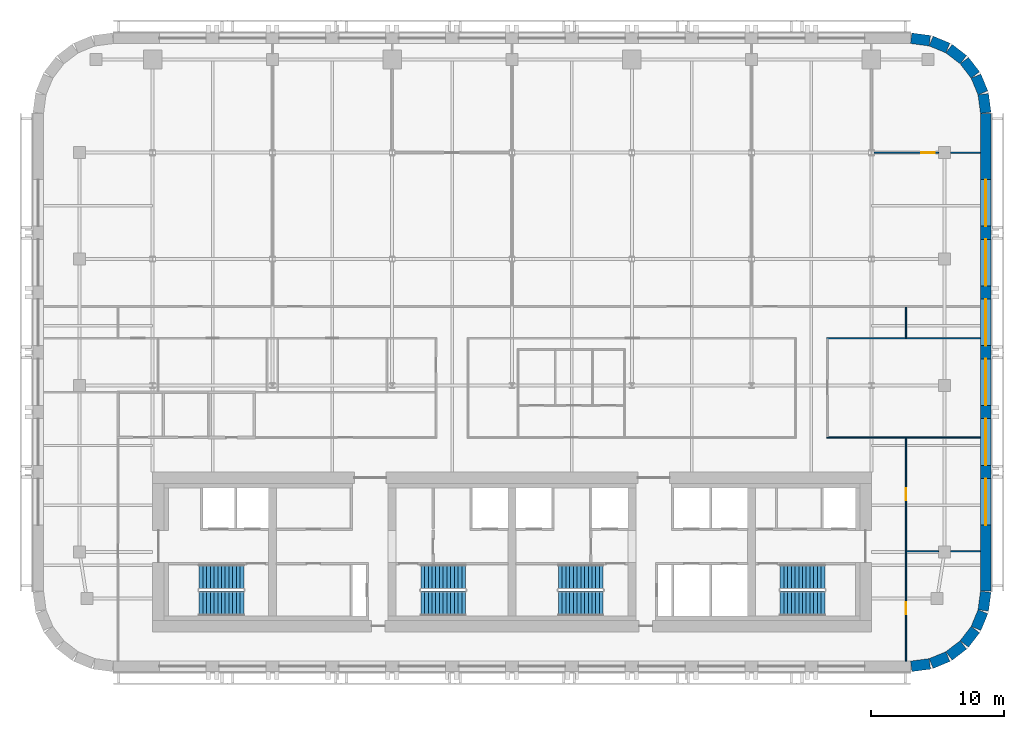
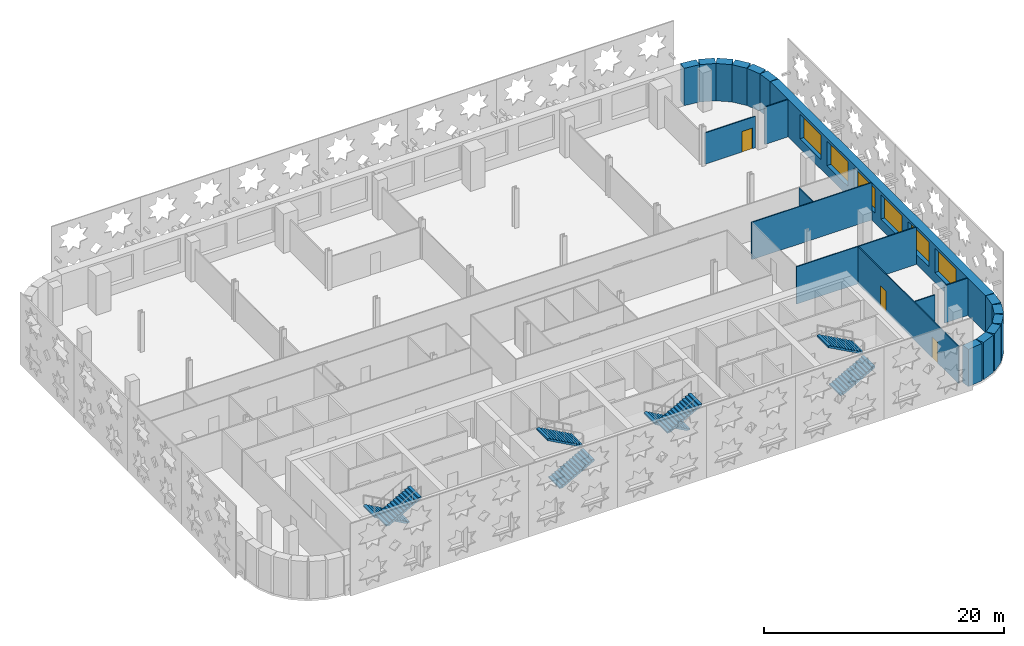
# One storey, part 7 of 12: 21 walls, 8 stair flights, 6 windows, 3 doors, 9 openings, 4 elements without a shape of their own.
"""IFC4 building model written with IfcOpenShell, lengths in metres."""

from ifc_helpers import new_model, si_unit, direction, frame, frame_2d, origin, place, context, subcontext, project, spatial, polyline, rectangle, outline, extrude, material, layer, layer_set, type_object, element, fill, aggregate, save


model = new_model("IFC4")

# Units and contexts
model_context = context("Model", 3, precision=1e-05, world=origin(), true_north=direction((0.0, 1.0)))
body_context = subcontext(model_context, "Body", "Model", "MODEL_VIEW")
ifc_project = project(units=[si_unit("LENGTHUNIT", "METRE"), si_unit("AREAUNIT", "SQUARE_METRE"), si_unit("VOLUMEUNIT", "CUBIC_METRE"), si_unit("PLANEANGLEUNIT", "RADIAN"), si_unit("MASSUNIT", "GRAM", prefix="KILO")], contexts=[model_context])

# Site, building, storey
site_placement = place(None, origin())
site = spatial("IfcSite", under=ifc_project, at=site_placement, CompositionType="ELEMENT")
building_placement = place(site_placement, origin())
building = spatial("IfcBuilding", under=site, at=building_placement, Name="Zellij Exchange Tower", CompositionType="ELEMENT")
storey_placement = place(building_placement, frame((0.0, 0.0, 196.5)))
storey = spatial("IfcBuildingStorey", under=building, at=storey_placement, Name="L45", CompositionType="ELEMENT", Elevation=196.5)

# Walls
ifc_material_1 = material(Name="Precast concrete C40/50", Category="concrete")
ifc_layer_1 = layer(ifc_material_1, 0.800048828125)
ifc_layer_set_1 = layer_set([ifc_layer_1], Name="Precast concrete C40/50")
wall_type_1 = type_object("IfcWallType", Name="ENV-EW1 Precast stone-piered wall 800", PredefinedType="SOLIDWALL", material=ifc_layer_set_1)
wall_1_placement = place(storey_placement, frame((29.999755859375, -16.5966796875, 0.0), z_axis=(0.0, 0.0, 1.0), x_axis=(0.99144603414, 0.130517283865, 0.0)))
element("IfcWall", 1, at=wall_1_placement, inside=storey, type_object=wall_type_1, Name="fac.L45.01", PredefinedType="SOLIDWALL", context=body_context, shape_type="SweptSolid", body=[
    extrude(rectangle(XDim=1.408447265625, YDim=0.800048828125, at=frame_2d((0.7041015625, 0.0))), origin(), (0.0, 0.0, 1.0), 3.800048828125),
])
wall_2_placement = place(storey_placement, frame((31.497314453125, -16.3857421875, 0.0), z_axis=(0.0, 0.0, 1.0), x_axis=(0.923847774587, 0.38276009378, 0.0)))
element("IfcWall", 2, at=wall_2_placement, inside=storey, type_object=wall_type_1, Name="fac.L45.02", PredefinedType="SOLIDWALL", context=body_context, shape_type="SweptSolid", body=[
    extrude(rectangle(XDim=1.35546875, YDim=0.800048828125, at=frame_2d((0.677734375, 0.0))), origin(), (0.0, 0.0, 1.0), 3.800048828125),
])
for number, where, z_axis, x_axis, name in (
    (3, (32.840087890625, -15.814697265625, 0.0), (0.0, 0.0, 1.0), (0.793272915452, 0.608866226366, 0.0), "fac.L45.03"),
    (4, (33.9892578125, -14.91552734375, 0.0), (0.0, 0.0, 1.0), (0.608866226366, 0.793272915452, 0.0), "fac.L45.04"),
):
    element("IfcWall", number, at=place(storey_placement, frame(where, z_axis=z_axis, x_axis=x_axis)), inside=storey, type_object=wall_type_1, Name=name, PredefinedType="SOLIDWALL", context=body_context, shape_type="SweptSolid", body=[
        extrude(rectangle(XDim=1.355712890625, YDim=0.800048828125, at=frame_2d((0.677734375, 0.0))), origin(), (0.0, 0.0, 1.0), 3.800048828125),
    ])
wall_3_placement = place(storey_placement, frame((34.866943359375, -13.74951171875, 0.0), z_axis=(0.0, 0.0, 1.0), x_axis=(0.38276009378, 0.923847774587, 0.0)))
element("IfcWall", 5, at=wall_3_placement, inside=storey, type_object=wall_type_1, Name="fac.L45.05", PredefinedType="SOLIDWALL", context=body_context, shape_type="SweptSolid", body=[
    extrude(rectangle(XDim=1.35546875, YDim=0.800048828125, at=frame_2d((0.677734375, 0.0))), origin(), (0.0, 0.0, 1.0), 3.800048828125),
])
wall_4_placement = place(storey_placement, frame((35.412841796875, -12.396240234375, 0.0), z_axis=(0.0, 0.0, 1.0), x_axis=(0.130517283865, 0.99144603414, 0.0)))
element("IfcWall", 6, at=wall_4_placement, inside=storey, type_object=wall_type_1, Name="fac.L45.06", PredefinedType="SOLIDWALL", context=body_context, shape_type="SweptSolid", body=[
    extrude(rectangle(XDim=1.408447265625, YDim=0.800048828125, at=frame_2d((0.7041015625, 0.0))), origin(), (0.0, 0.0, 1.0), 3.800048828125),
])

# Wall, openings, windows
wall_5_placement = place(storey_placement, frame((35.60009765625, -10.947509765625, 0.0), z_axis=(0.0, 0.0, 1.0), x_axis=(0.0, 1.0, 0.0)))
wall_5 = element("IfcWall", 7, at=wall_5_placement, inside=storey, type_object=wall_type_1, Name="fac.L45.07", PredefinedType="SOLIDWALL", context=body_context, shape_type="SweptSolid", body=[
    extrude(rectangle(XDim=35.89501953125, YDim=0.800048828125, at=frame_2d((17.947509765625, 0.0))), origin(), (0.0, 0.0, 1.0), 3.800048828125),
])
opening_1_placement = place(wall_5_placement, frame((4.9638671875, 0.0, 1.0)))
opening_1 = element("IfcOpeningElement", 8, at=opening_1_placement, cuts=wall_5, Name="Opening FZ3.13", PredefinedType="OPENING", context=body_context, shape_type="SweptSolid", body=[
    extrude(rectangle(XDim=3.5, YDim=2.5, at=frame_2d((1.75, 1.25))), frame((0.0, 0.412109375, 0.0), z_axis=(0.0, -1.0, 0.0), x_axis=(1.0, 0.0, 0.0)), (0.0, 0.0, 1.0), 0.823974609375),
])
opening_2_placement = place(wall_5_placement, frame((9.45751953125, 0.0, 1.0)))
opening_2 = element("IfcOpeningElement", 9, at=opening_2_placement, cuts=wall_5, Name="Opening FZ3.14", PredefinedType="OPENING", context=body_context, shape_type="SweptSolid", body=[
    extrude(rectangle(XDim=3.5, YDim=2.5, at=frame_2d((1.75, 1.25))), frame((0.0, 0.412109375, 0.0), z_axis=(0.0, -1.0, 0.0), x_axis=(1.0, 0.0, 0.0)), (0.0, 0.0, 1.0), 0.823974609375),
])
opening_3_placement = place(wall_5_placement, frame((13.950927734375, 0.0, 1.0)))
opening_3 = element("IfcOpeningElement", 10, at=opening_3_placement, cuts=wall_5, Name="Opening FZ3.15", PredefinedType="OPENING", context=body_context, shape_type="SweptSolid", body=[
    extrude(rectangle(XDim=3.5, YDim=2.5, at=frame_2d((1.75, 1.25))), frame((0.0, 0.412109375, 0.0), z_axis=(0.0, -1.0, 0.0), x_axis=(1.0, 0.0, 0.0)), (0.0, 0.0, 1.0), 0.823974609375),
])
opening_4_placement = place(wall_5_placement, frame((18.4443359375, 0.0, 1.0)))
opening_4 = element("IfcOpeningElement", 11, at=opening_4_placement, cuts=wall_5, Name="Opening FZ3.16", PredefinedType="OPENING", context=body_context, shape_type="SweptSolid", body=[
    extrude(rectangle(XDim=3.5, YDim=2.5, at=frame_2d((1.75, 1.25))), frame((0.0, 0.412109375, 0.0), z_axis=(0.0, -1.0, 0.0), x_axis=(1.0, 0.0, 0.0)), (0.0, 0.0, 1.0), 0.823974609375),
])
opening_5_placement = place(wall_5_placement, frame((22.937744140625, 0.0, 1.0)))
opening_5 = element("IfcOpeningElement", 12, at=opening_5_placement, cuts=wall_5, Name="Opening FZ3.17", PredefinedType="OPENING", context=body_context, shape_type="SweptSolid", body=[
    extrude(rectangle(XDim=3.5, YDim=2.5, at=frame_2d((1.75, 1.25))), frame((0.0, 0.412109375, 0.0), z_axis=(0.0, -1.0, 0.0), x_axis=(1.0, 0.0, 0.0)), (0.0, 0.0, 1.0), 0.823974609375),
])
opening_6_placement = place(wall_5_placement, frame((27.43115234375, 0.0, 1.0)))
opening_6 = element("IfcOpeningElement", 13, at=opening_6_placement, cuts=wall_5, Name="Opening FZ3.18", PredefinedType="OPENING", context=body_context, shape_type="SweptSolid", body=[
    extrude(rectangle(XDim=3.5, YDim=2.5, at=frame_2d((1.75, 1.25))), frame((0.0, 0.412109375, 0.0), z_axis=(0.0, -1.0, 0.0), x_axis=(1.0, 0.0, 0.0)), (0.0, 0.0, 1.0), 0.823974609375),
])
ifc_material_2 = material(Name="Aluminium frame with insulating glass", Category="aluminium")
window_type = type_object("IfcWindowType", Name="ENV-W1 Window 3500x2500", PartitioningType="SINGLE_PANEL", PredefinedType="WINDOW", material=ifc_material_2)
window_1_placement = place(opening_1_placement, origin())
window_1 = element("IfcWindow", 14, at=window_1_placement, inside=storey, type_object=window_type, Name="Window FZ3.13", OverallHeight=2.5, OverallWidth=3.5, PartitioningType="SINGLE_PANEL", PredefinedType="WINDOW", context=body_context, shape_type="SweptSolid", body=[
    extrude(rectangle(XDim=3.5, YDim=2.5, at=frame_2d((1.75, 1.25))), frame((0.0, 0.030029296875, 0.0), z_axis=(0.0, -1.0, 0.0), x_axis=(1.0, 0.0, 0.0)), (0.0, 0.0, 1.0), 0.06005859375),
])
fill(opening_1, window_1)
window_2_placement = place(opening_2_placement, origin())
window_2 = element("IfcWindow", 15, at=window_2_placement, inside=storey, type_object=window_type, Name="Window FZ3.14", OverallHeight=2.5, OverallWidth=3.5, PartitioningType="SINGLE_PANEL", PredefinedType="WINDOW", context=body_context, shape_type="SweptSolid", body=[
    extrude(rectangle(XDim=3.5, YDim=2.5, at=frame_2d((1.75, 1.25))), frame((0.0, 0.030029296875, 0.0), z_axis=(0.0, -1.0, 0.0), x_axis=(1.0, 0.0, 0.0)), (0.0, 0.0, 1.0), 0.06005859375),
])
fill(opening_2, window_2)
window_3_placement = place(opening_3_placement, origin())
window_3 = element("IfcWindow", 16, at=window_3_placement, inside=storey, type_object=window_type, Name="Window FZ3.15", OverallHeight=2.5, OverallWidth=3.5, PartitioningType="SINGLE_PANEL", PredefinedType="WINDOW", context=body_context, shape_type="SweptSolid", body=[
    extrude(rectangle(XDim=3.5, YDim=2.5, at=frame_2d((1.75, 1.25))), frame((0.0, 0.030029296875, 0.0), z_axis=(0.0, -1.0, 0.0), x_axis=(1.0, 0.0, 0.0)), (0.0, 0.0, 1.0), 0.06005859375),
])
fill(opening_3, window_3)
window_4_placement = place(opening_4_placement, origin())
window_4 = element("IfcWindow", 17, at=window_4_placement, inside=storey, type_object=window_type, Name="Window FZ3.16", OverallHeight=2.5, OverallWidth=3.5, PartitioningType="SINGLE_PANEL", PredefinedType="WINDOW", context=body_context, shape_type="SweptSolid", body=[
    extrude(rectangle(XDim=3.5, YDim=2.5, at=frame_2d((1.75, 1.25))), frame((0.0, 0.030029296875, 0.0), z_axis=(0.0, -1.0, 0.0), x_axis=(1.0, 0.0, 0.0)), (0.0, 0.0, 1.0), 0.06005859375),
])
fill(opening_4, window_4)
window_5_placement = place(opening_5_placement, origin())
window_5 = element("IfcWindow", 18, at=window_5_placement, inside=storey, type_object=window_type, Name="Window FZ3.17", OverallHeight=2.5, OverallWidth=3.5, PartitioningType="SINGLE_PANEL", PredefinedType="WINDOW", context=body_context, shape_type="SweptSolid", body=[
    extrude(rectangle(XDim=3.5, YDim=2.5, at=frame_2d((1.75, 1.25))), frame((0.0, 0.030029296875, 0.0), z_axis=(0.0, -1.0, 0.0), x_axis=(1.0, 0.0, 0.0)), (0.0, 0.0, 1.0), 0.06005859375),
])
fill(opening_5, window_5)
window_6_placement = place(opening_6_placement, origin())
window_6 = element("IfcWindow", 19, at=window_6_placement, inside=storey, type_object=window_type, Name="Window FZ3.18", OverallHeight=2.5, OverallWidth=3.5, PartitioningType="SINGLE_PANEL", PredefinedType="WINDOW", context=body_context, shape_type="SweptSolid", body=[
    extrude(rectangle(XDim=3.5, YDim=2.5, at=frame_2d((1.75, 1.25))), frame((0.0, 0.030029296875, 0.0), z_axis=(0.0, -1.0, 0.0), x_axis=(1.0, 0.0, 0.0)), (0.0, 0.0, 1.0), 0.06005859375),
])
fill(opening_6, window_6)

# Walls
wall_6_placement = place(storey_placement, frame((35.5966796875, 24.999755859375, 0.0), z_axis=(0.0, 0.0, 1.0), x_axis=(-0.130517283865, 0.99144603414, 0.0)))
element("IfcWall", 20, at=wall_6_placement, inside=storey, type_object=wall_type_1, Name="fac.L45.08", PredefinedType="SOLIDWALL", context=body_context, shape_type="SweptSolid", body=[
    extrude(rectangle(XDim=1.408447265625, YDim=0.800048828125, at=frame_2d((0.7041015625, 0.0))), origin(), (0.0, 0.0, 1.0), 3.800048828125),
])
wall_7_placement = place(storey_placement, frame((35.3857421875, 26.497314453125, 0.0), z_axis=(0.0, 0.0, 1.0), x_axis=(-0.38276009378, 0.923847774587, 0.0)))
element("IfcWall", 21, at=wall_7_placement, inside=storey, type_object=wall_type_1, Name="fac.L45.09", PredefinedType="SOLIDWALL", context=body_context, shape_type="SweptSolid", body=[
    extrude(rectangle(XDim=1.35546875, YDim=0.800048828125, at=frame_2d((0.677734375, 0.0))), origin(), (0.0, 0.0, 1.0), 3.800048828125),
])
for number, where, z_axis, x_axis, name in (
    (22, (34.814697265625, 27.840087890625, 0.0), (0.0, 0.0, 1.0), (-0.608866226366, 0.793272915452, 0.0), "fac.L45.10"),
    (23, (33.91552734375, 28.9892578125, 0.0), (0.0, 0.0, 1.0), (-0.793272915452, 0.608866226366, 0.0), "fac.L45.11"),
):
    element("IfcWall", number, at=place(storey_placement, frame(where, z_axis=z_axis, x_axis=x_axis)), inside=storey, type_object=wall_type_1, Name=name, PredefinedType="SOLIDWALL", context=body_context, shape_type="SweptSolid", body=[
        extrude(rectangle(XDim=1.355712890625, YDim=0.800048828125, at=frame_2d((0.677734375, 0.0))), origin(), (0.0, 0.0, 1.0), 3.800048828125),
    ])
wall_8_placement = place(storey_placement, frame((32.74951171875, 29.866943359375, 0.0), z_axis=(0.0, 0.0, 1.0), x_axis=(-0.923847774587, 0.38276009378, 0.0)))
element("IfcWall", 24, at=wall_8_placement, inside=storey, type_object=wall_type_1, Name="fac.L45.12", PredefinedType="SOLIDWALL", context=body_context, shape_type="SweptSolid", body=[
    extrude(rectangle(XDim=1.35546875, YDim=0.800048828125, at=frame_2d((0.677734375, 0.0))), origin(), (0.0, 0.0, 1.0), 3.800048828125),
])
wall_9_placement = place(storey_placement, frame((31.396240234375, 30.412841796875, 0.0), z_axis=(0.0, 0.0, 1.0), x_axis=(-0.99144603414, 0.130517283865, 0.0)))
element("IfcWall", 25, at=wall_9_placement, inside=storey, type_object=wall_type_1, Name="fac.L45.13", PredefinedType="SOLIDWALL", context=body_context, shape_type="SweptSolid", body=[
    extrude(rectangle(XDim=1.408447265625, YDim=0.800048828125, at=frame_2d((0.7041015625, 0.0))), origin(), (0.0, 0.0, 1.0), 3.800048828125),
])

# Wall, openings, doors
ifc_material_3 = material(Name="Gypsum board partition on steel studs", Category="steel")
ifc_layer_2 = layer(ifc_material_3, 0.10009765625)
ifc_layer_set_2 = layer_set([ifc_layer_2], Name="Gypsum board partition on steel studs")
wall_type_2 = type_object("IfcWallType", Name="FIT-PARTITION-100", PredefinedType="PARTITIONING", material=ifc_layer_set_2)
wall_10_placement = place(storey_placement, frame((29.60009765625, -16.199951171875, 0.0), z_axis=(0.0, 0.0, 1.0), x_axis=(0.0, 1.0, 0.0)))
wall_10 = element("IfcWall", 26, at=wall_10_placement, inside=storey, type_object=wall_type_2, Name="FIT-PARTITION-100 002", PredefinedType="PARTITIONING", context=body_context, shape_type="SweptSolid", body=[
    extrude(rectangle(XDim=16.75, YDim=0.10009765625, at=frame_2d((8.375, 0.0))), origin(), (0.0, 0.0, 1.0), 3.800048828125),
])
opening_7_placement = place(wall_10_placement, frame((3.5, 0.0, 0.0)))
opening_7 = element("IfcOpeningElement", 27, at=opening_7_placement, cuts=wall_10, Name="Opening O3D.01", PredefinedType="OPENING", context=body_context, shape_type="SweptSolid", body=[
    extrude(rectangle(XDim=0.89990234375, YDim=2.10009765625, at=frame_2d((0.449951171875, 1.050048828125))), frame((0.0, 0.06201171875, 0.0), z_axis=(0.0, -1.0, 0.0), x_axis=(1.0, 0.0, 0.0)), (0.0, 0.0, 1.0), 0.1240234375),
])
opening_8_placement = place(wall_10_placement, frame((12.10009765625, 0.0, 0.0)))
opening_8 = element("IfcOpeningElement", 28, at=opening_8_placement, cuts=wall_10, Name="Opening O3D.03", PredefinedType="OPENING", context=body_context, shape_type="SweptSolid", body=[
    extrude(rectangle(XDim=0.89990234375, YDim=2.10009765625, at=frame_2d((0.449951171875, 1.050048828125))), frame((0.0, 0.06201171875, 0.0), z_axis=(0.0, -1.0, 0.0), x_axis=(1.0, 0.0, 0.0)), (0.0, 0.0, 1.0), 0.1240234375),
])
ifc_material_4 = material(Name="Timber door set", Category="wood")
door_type_1 = type_object("IfcDoorType", Name="FIT-D1-ROOM-900X2100", OperationType="SINGLE_SWING_LEFT", PredefinedType="DOOR", material=ifc_material_4)
door_1_placement = place(opening_7_placement, origin())
door_1 = element("IfcDoor", 29, at=door_1_placement, inside=storey, type_object=door_type_1, Name="Door O3D.01", OperationType="SINGLE_SWING_LEFT", OverallHeight=2.10009765625, OverallWidth=0.89990234375, PredefinedType="DOOR", context=body_context, shape_type="SweptSolid", body=[
    extrude(rectangle(XDim=0.89990234375, YDim=2.10009765625, at=frame_2d((0.449951171875, 1.050048828125))), frame((0.0, 0.02490234375, 0.0), z_axis=(0.0, -1.0, 0.0), x_axis=(1.0, 0.0, 0.0)), (0.0, 0.0, 1.0), 0.050048828125),
])
fill(opening_7, door_1)
door_2_placement = place(opening_8_placement, origin())
door_2 = element("IfcDoor", 30, at=door_2_placement, inside=storey, type_object=door_type_1, Name="Door O3D.03", OperationType="SINGLE_SWING_RIGHT", OverallHeight=2.10009765625, OverallWidth=0.89990234375, PredefinedType="DOOR", context=body_context, shape_type="SweptSolid", body=[
    extrude(rectangle(XDim=0.89990234375, YDim=2.10009765625, at=frame_2d((0.449951171875, 1.050048828125))), frame((0.0, 0.02490234375, 0.0), z_axis=(0.0, -1.0, 0.0), x_axis=(1.0, 0.0, 0.0)), (0.0, 0.0, 1.0), 0.050048828125),
])
fill(opening_8, door_2)

# Walls
wall_11_placement = place(storey_placement, frame((29.64990234375, -7.949951171875, 0.0), z_axis=(0.0, 0.0, 1.0), x_axis=(1.0, 0.0, 0.0)))
element("IfcWall", 31, at=wall_11_placement, inside=storey, type_object=wall_type_2, Name="FIT-PARTITION-100 003", PredefinedType="PARTITIONING", context=body_context, shape_type="SweptSolid", body=[
    extrude(rectangle(XDim=2.400146484375, YDim=0.10009765625, at=frame_2d((1.2001953125, 0.0))), origin(), (0.0, 0.0, 1.0), 3.19287109375),
])
wall_12_placement = place(storey_placement, frame((32.949951171875, -7.949951171875, 0.0), z_axis=(0.0, 0.0, 1.0), x_axis=(1.0, 0.0, 0.0)))
element("IfcWall", 32, at=wall_12_placement, inside=storey, type_object=wall_type_2, Name="FIT-PARTITION-100 004", PredefinedType="PARTITIONING", context=body_context, shape_type="SweptSolid", body=[
    extrude(rectangle(XDim=2.25, YDim=0.10009765625, at=frame_2d((1.125, 0.0))), origin(), (0.0, 0.0, 1.0), 3.800048828125),
])
for number, where, z_axis, x_axis, name in (
    (33, (23.64990234375, 0.60009765625, 0.0), (0.0, 0.0, 1.0), (1.0, 0.0, 0.0), "FIT-PARTITION-100 018"),
    (34, (23.64990234375, 8.050048828125, 0.0), (0.0, 0.0, 1.0), (1.0, 0.0, 0.0), "FIT-PARTITION-100 035"),
):
    element("IfcWall", number, at=place(storey_placement, frame(where, z_axis=z_axis, x_axis=x_axis)), inside=storey, type_object=wall_type_2, Name=name, PredefinedType="PARTITIONING", context=body_context, shape_type="SweptSolid", body=[
        extrude(rectangle(XDim=11.550048828125, YDim=0.10009765625, at=frame_2d((5.77490234375, 0.0))), origin(), (0.0, 0.0, 1.0), 3.800048828125),
    ])
wall_13_placement = place(storey_placement, frame((29.60009765625, 8.10009765625, 0.0), z_axis=(0.0, 0.0, 1.0), x_axis=(0.0, 1.0, 0.0)))
element("IfcWall", 35, at=wall_13_placement, inside=storey, type_object=wall_type_2, Name="FIT-PARTITION-100 036", PredefinedType="PARTITIONING", context=body_context, shape_type="SweptSolid", body=[
    extrude(rectangle(XDim=2.2998046875, YDim=0.10009765625, at=frame_2d((1.14990234375, 0.0))), origin(), (0.0, 0.0, 1.0), 3.800048828125),
])

# Wall, opening, door
wall_14_placement = place(storey_placement, frame((27.20458984375, 22.0, 0.0), z_axis=(0.0, 0.0, 1.0), x_axis=(1.0, 0.0, 0.0)))
wall_14 = element("IfcWall", 36, at=wall_14_placement, inside=storey, type_object=wall_type_2, Name="FIT-PARTITION-100 053", PredefinedType="PARTITIONING", context=body_context, shape_type="SweptSolid", body=[
    extrude(rectangle(XDim=4.845458984375, YDim=0.10009765625, at=frame_2d((2.4228515625, 0.0))), origin(), (0.0, 0.0, 1.0), 3.19287109375),
])
opening_9_placement = place(wall_14_placement, frame((3.54541015625, 0.0, 0.0)))
opening_9 = element("IfcOpeningElement", 37, at=opening_9_placement, cuts=wall_14, Name="Opening O3D.23", PredefinedType="OPENING", context=body_context, shape_type="SweptSolid", body=[
    extrude(rectangle(XDim=1.0, YDim=2.10009765625, at=frame_2d((0.5, 1.050048828125))), frame((0.0, 0.06201171875, 0.0), z_axis=(0.0, -1.0, 0.0), x_axis=(1.0, 0.0, 0.0)), (0.0, 0.0, 1.0), 0.1240234375),
])
door_type_2 = type_object("IfcDoorType", Name="FIT-D2-WIDE-1000X2100", OperationType="SINGLE_SWING_LEFT", PredefinedType="DOOR", material=ifc_material_4)
door_3_placement = place(opening_9_placement, origin())
door_3 = element("IfcDoor", 38, at=door_3_placement, inside=storey, type_object=door_type_2, Name="Door O3D.23", OperationType="SINGLE_SWING_LEFT", OverallHeight=2.10009765625, OverallWidth=1.0, PredefinedType="DOOR", context=body_context, shape_type="SweptSolid", body=[
    extrude(rectangle(XDim=1.0, YDim=2.10009765625, at=frame_2d((0.5, 1.050048828125))), frame((0.0, 0.02490234375, 0.0), z_axis=(0.0, -1.0, 0.0), x_axis=(1.0, 0.0, 0.0)), (0.0, 0.0, 1.0), 0.050048828125),
])
fill(opening_9, door_3)

# Wall
wall_15_placement = place(storey_placement, frame((32.949951171875, 22.0, 0.0), z_axis=(0.0, 0.0, 1.0), x_axis=(1.0, 0.0, 0.0)))
element("IfcWall", 39, at=wall_15_placement, inside=storey, type_object=wall_type_2, Name="FIT-PARTITION-100 054", PredefinedType="PARTITIONING", context=body_context, shape_type="SweptSolid", body=[
    extrude(rectangle(XDim=2.25, YDim=0.10009765625, at=frame_2d((1.125, 0.0))), origin(), (0.0, 0.0, 1.0), 3.800048828125),
])

# Stair, stair flights
ifc_material_5 = material(Name="Concrete C40/50", Category="concrete")
stair_type = type_object("IfcStairType", Name="CORE-ST exit stair 1850 wide", PredefinedType="HALF_TURN_STAIR", material=ifc_material_5)
stair_1_placement = place(storey_placement, origin())
stair_1 = element("IfcStair", 40, at=stair_1_placement, inside=storey, type_object=stair_type, Name="L45 exit stair ST1", PredefinedType="HALF_TURN_STAIR")
stair_flight_type = type_object("IfcStairFlightType", Name="CORE-SF flight 1850 riser 153.8 going 280", PredefinedType="STRAIGHT", material=ifc_material_5)
stair_flight_1_placement = place(storey_placement, frame((-20.14990234375, -9.875, 0.0), z_axis=(0.0, 0.0, 1.0), x_axis=(-1.0, 0.0, 0.0)))
stair_flight_1 = element("IfcStairFlight", 41, at=stair_flight_1_placement, type_object=stair_flight_type, Name="ST1 flight 1", NumberOfRisers=13, NumberOfTreads=12, PredefinedType="STRAIGHT", RiserHeight=0.153846154, TreadLength=0.28, context=body_context, shape_type="SweptSolid", body=[
    extrude(outline(polyline([(0.0, 0.0), (0.0, 0.15380859375), (0.280029296875, 0.15380859375), (0.280029296875, 0.3076171875), (0.56005859375, 0.3076171875), (0.56005859375, 0.46142578125), (0.840087890625, 0.46142578125), (0.840087890625, 0.615478515625), (1.1201171875, 0.615478515625), (1.1201171875, 0.769287109375), (1.39990234375, 0.769287109375), (1.39990234375, 0.923095703125), (1.679931640625, 0.923095703125), (1.679931640625, 1.076904296875), (1.9599609375, 1.076904296875), (1.9599609375, 1.230712890625), (2.239990234375, 1.230712890625), (2.239990234375, 1.384521484375), (2.52001953125, 1.384521484375), (2.52001953125, 1.53857421875), (2.800048828125, 1.53857421875), (2.800048828125, 1.6923828125), (3.080078125, 1.6923828125), (3.080078125, 1.84619140625), (3.360107421875, 1.84619140625), (3.360107421875, 2.0), (3.360107421875, 1.675048828125), (0.311279296875, 0.0), (0.0, 0.0)])), frame((0.0, 0.925048828125, 0.0), z_axis=(0.0, -1.0, 0.0), x_axis=(1.0, 0.0, 0.0)), (0.0, 0.0, 1.0), 1.85009765625),
])
stair_flight_2_placement = place(storey_placement, frame((-23.510009765625, -11.875, 2.0), z_axis=(0.0, 0.0, 1.0), x_axis=(1.0, 0.0, 0.0)))
stair_flight_2 = element("IfcStairFlight", 42, at=stair_flight_2_placement, type_object=stair_flight_type, Name="ST1 flight 2", NumberOfRisers=13, NumberOfTreads=12, PredefinedType="STRAIGHT", RiserHeight=0.153846154, TreadLength=0.28, context=body_context, shape_type="SweptSolid", body=[
    extrude(outline(polyline([(0.0, 0.0), (0.0, 0.15380859375), (0.280029296875, 0.15380859375), (0.280029296875, 0.3076171875), (0.56005859375, 0.3076171875), (0.56005859375, 0.46142578125), (0.840087890625, 0.46142578125), (0.840087890625, 0.615478515625), (1.1201171875, 0.615478515625), (1.1201171875, 0.769287109375), (1.39990234375, 0.769287109375), (1.39990234375, 0.923095703125), (1.679931640625, 0.923095703125), (1.679931640625, 1.076904296875), (1.9599609375, 1.076904296875), (1.9599609375, 1.230712890625), (2.239990234375, 1.230712890625), (2.239990234375, 1.384521484375), (2.52001953125, 1.384521484375), (2.52001953125, 1.53857421875), (2.800048828125, 1.53857421875), (2.800048828125, 1.6923828125), (3.080078125, 1.6923828125), (3.080078125, 1.84619140625), (3.360107421875, 1.84619140625), (3.360107421875, 2.0), (3.360107421875, 1.675048828125), (0.311279296875, 0.0), (0.0, 0.0)])), frame((0.0, 0.925048828125, 0.0), z_axis=(0.0, -1.0, 0.0), x_axis=(1.0, 0.0, 0.0)), (0.0, 0.0, 1.0), 1.85009765625),
])
aggregate(stair_1, [stair_flight_1, stair_flight_2])

stair_2_placement = place(storey_placement, origin())
stair_2 = element("IfcStair", 43, at=stair_2_placement, inside=storey, type_object=stair_type, Name="L45 exit stair ST2", PredefinedType="HALF_TURN_STAIR")
stair_flight_3_placement = place(storey_placement, frame((-6.85009765625, -11.875, 0.0), z_axis=(0.0, 0.0, 1.0), x_axis=(1.0, 0.0, 0.0)))
stair_flight_3 = element("IfcStairFlight", 44, at=stair_flight_3_placement, type_object=stair_flight_type, Name="ST2 flight 1", NumberOfRisers=13, NumberOfTreads=12, PredefinedType="STRAIGHT", RiserHeight=0.153846154, TreadLength=0.28, context=body_context, shape_type="SweptSolid", body=[
    extrude(outline(polyline([(0.0, 0.0), (0.0, 0.15380859375), (0.280029296875, 0.15380859375), (0.280029296875, 0.3076171875), (0.56005859375, 0.3076171875), (0.56005859375, 0.46142578125), (0.840087890625, 0.46142578125), (0.840087890625, 0.615478515625), (1.1201171875, 0.615478515625), (1.1201171875, 0.769287109375), (1.39990234375, 0.769287109375), (1.39990234375, 0.923095703125), (1.679931640625, 0.923095703125), (1.679931640625, 1.076904296875), (1.9599609375, 1.076904296875), (1.9599609375, 1.230712890625), (2.239990234375, 1.230712890625), (2.239990234375, 1.384521484375), (2.52001953125, 1.384521484375), (2.52001953125, 1.53857421875), (2.800048828125, 1.53857421875), (2.800048828125, 1.6923828125), (3.080078125, 1.6923828125), (3.080078125, 1.84619140625), (3.360107421875, 1.84619140625), (3.360107421875, 2.0), (3.360107421875, 1.675048828125), (0.311279296875, 0.0), (0.0, 0.0)])), frame((0.0, 0.925048828125, 0.0), z_axis=(0.0, -1.0, 0.0), x_axis=(1.0, 0.0, 0.0)), (0.0, 0.0, 1.0), 1.85009765625),
])
stair_flight_4_placement = place(storey_placement, frame((-3.489990234375, -9.875, 2.0), z_axis=(0.0, 0.0, 1.0), x_axis=(-1.0, 0.0, 0.0)))
stair_flight_4 = element("IfcStairFlight", 45, at=stair_flight_4_placement, type_object=stair_flight_type, Name="ST2 flight 2", NumberOfRisers=13, NumberOfTreads=12, PredefinedType="STRAIGHT", RiserHeight=0.153846154, TreadLength=0.28, context=body_context, shape_type="SweptSolid", body=[
    extrude(outline(polyline([(0.0, 0.0), (0.0, 0.15380859375), (0.280029296875, 0.15380859375), (0.280029296875, 0.3076171875), (0.56005859375, 0.3076171875), (0.56005859375, 0.46142578125), (0.840087890625, 0.46142578125), (0.840087890625, 0.615478515625), (1.1201171875, 0.615478515625), (1.1201171875, 0.769287109375), (1.39990234375, 0.769287109375), (1.39990234375, 0.923095703125), (1.679931640625, 0.923095703125), (1.679931640625, 1.076904296875), (1.9599609375, 1.076904296875), (1.9599609375, 1.230712890625), (2.239990234375, 1.230712890625), (2.239990234375, 1.384521484375), (2.52001953125, 1.384521484375), (2.52001953125, 1.53857421875), (2.800048828125, 1.53857421875), (2.800048828125, 1.6923828125), (3.080078125, 1.6923828125), (3.080078125, 1.84619140625), (3.360107421875, 1.84619140625), (3.360107421875, 2.0), (3.360107421875, 1.675048828125), (0.311279296875, 0.0), (0.0, 0.0)])), frame((0.0, 0.925048828125, 0.0), z_axis=(0.0, -1.0, 0.0), x_axis=(1.0, 0.0, 0.0)), (0.0, 0.0, 1.0), 1.85009765625),
])
aggregate(stair_2, [stair_flight_3, stair_flight_4])

stair_3_placement = place(storey_placement, origin())
stair_3 = element("IfcStair", 46, at=stair_3_placement, inside=storey, type_object=stair_type, Name="L45 exit stair ST3", PredefinedType="HALF_TURN_STAIR")
stair_flight_5_placement = place(storey_placement, frame((6.85009765625, -9.875, 0.0), z_axis=(0.0, 0.0, 1.0), x_axis=(-1.0, 0.0, 0.0)))
stair_flight_5 = element("IfcStairFlight", 47, at=stair_flight_5_placement, type_object=stair_flight_type, Name="ST3 flight 1", NumberOfRisers=13, NumberOfTreads=12, PredefinedType="STRAIGHT", RiserHeight=0.153846154, TreadLength=0.28, context=body_context, shape_type="SweptSolid", body=[
    extrude(outline(polyline([(0.0, 0.0), (0.0, 0.15380859375), (0.280029296875, 0.15380859375), (0.280029296875, 0.3076171875), (0.56005859375, 0.3076171875), (0.56005859375, 0.46142578125), (0.840087890625, 0.46142578125), (0.840087890625, 0.615478515625), (1.1201171875, 0.615478515625), (1.1201171875, 0.769287109375), (1.39990234375, 0.769287109375), (1.39990234375, 0.923095703125), (1.679931640625, 0.923095703125), (1.679931640625, 1.076904296875), (1.9599609375, 1.076904296875), (1.9599609375, 1.230712890625), (2.239990234375, 1.230712890625), (2.239990234375, 1.384521484375), (2.52001953125, 1.384521484375), (2.52001953125, 1.53857421875), (2.800048828125, 1.53857421875), (2.800048828125, 1.6923828125), (3.080078125, 1.6923828125), (3.080078125, 1.84619140625), (3.360107421875, 1.84619140625), (3.360107421875, 2.0), (3.360107421875, 1.675048828125), (0.311279296875, 0.0), (0.0, 0.0)])), frame((0.0, 0.925048828125, 0.0), z_axis=(0.0, -1.0, 0.0), x_axis=(1.0, 0.0, 0.0)), (0.0, 0.0, 1.0), 1.85009765625),
])
stair_flight_6_placement = place(storey_placement, frame((3.489990234375, -11.875, 2.0), z_axis=(0.0, 0.0, 1.0), x_axis=(1.0, 0.0, 0.0)))
stair_flight_6 = element("IfcStairFlight", 48, at=stair_flight_6_placement, type_object=stair_flight_type, Name="ST3 flight 2", NumberOfRisers=13, NumberOfTreads=12, PredefinedType="STRAIGHT", RiserHeight=0.153846154, TreadLength=0.28, context=body_context, shape_type="SweptSolid", body=[
    extrude(outline(polyline([(0.0, 0.0), (0.0, 0.15380859375), (0.280029296875, 0.15380859375), (0.280029296875, 0.3076171875), (0.56005859375, 0.3076171875), (0.56005859375, 0.46142578125), (0.840087890625, 0.46142578125), (0.840087890625, 0.615478515625), (1.1201171875, 0.615478515625), (1.1201171875, 0.769287109375), (1.39990234375, 0.769287109375), (1.39990234375, 0.923095703125), (1.679931640625, 0.923095703125), (1.679931640625, 1.076904296875), (1.9599609375, 1.076904296875), (1.9599609375, 1.230712890625), (2.239990234375, 1.230712890625), (2.239990234375, 1.384521484375), (2.52001953125, 1.384521484375), (2.52001953125, 1.53857421875), (2.800048828125, 1.53857421875), (2.800048828125, 1.6923828125), (3.080078125, 1.6923828125), (3.080078125, 1.84619140625), (3.360107421875, 1.84619140625), (3.360107421875, 2.0), (3.360107421875, 1.675048828125), (0.311279296875, 0.0), (0.0, 0.0)])), frame((0.0, 0.925048828125, 0.0), z_axis=(0.0, -1.0, 0.0), x_axis=(1.0, 0.0, 0.0)), (0.0, 0.0, 1.0), 1.85009765625),
])
aggregate(stair_3, [stair_flight_5, stair_flight_6])

stair_4_placement = place(storey_placement, origin())
stair_4 = element("IfcStair", 49, at=stair_4_placement, inside=storey, type_object=stair_type, Name="L45 exit stair ST4", PredefinedType="HALF_TURN_STAIR")
stair_flight_7_placement = place(storey_placement, frame((20.14990234375, -11.875, 0.0), z_axis=(0.0, 0.0, 1.0), x_axis=(1.0, 0.0, 0.0)))
stair_flight_7 = element("IfcStairFlight", 50, at=stair_flight_7_placement, type_object=stair_flight_type, Name="ST4 flight 1", NumberOfRisers=13, NumberOfTreads=12, PredefinedType="STRAIGHT", RiserHeight=0.153846154, TreadLength=0.28, context=body_context, shape_type="SweptSolid", body=[
    extrude(outline(polyline([(0.0, 0.0), (0.0, 0.15380859375), (0.280029296875, 0.15380859375), (0.280029296875, 0.3076171875), (0.56005859375, 0.3076171875), (0.56005859375, 0.46142578125), (0.840087890625, 0.46142578125), (0.840087890625, 0.615478515625), (1.1201171875, 0.615478515625), (1.1201171875, 0.769287109375), (1.39990234375, 0.769287109375), (1.39990234375, 0.923095703125), (1.679931640625, 0.923095703125), (1.679931640625, 1.076904296875), (1.9599609375, 1.076904296875), (1.9599609375, 1.230712890625), (2.239990234375, 1.230712890625), (2.239990234375, 1.384521484375), (2.52001953125, 1.384521484375), (2.52001953125, 1.53857421875), (2.800048828125, 1.53857421875), (2.800048828125, 1.6923828125), (3.080078125, 1.6923828125), (3.080078125, 1.84619140625), (3.360107421875, 1.84619140625), (3.360107421875, 2.0), (3.360107421875, 1.675048828125), (0.311279296875, 0.0), (0.0, 0.0)])), frame((0.0, 0.925048828125, 0.0), z_axis=(0.0, -1.0, 0.0), x_axis=(1.0, 0.0, 0.0)), (0.0, 0.0, 1.0), 1.85009765625),
])
stair_flight_8_placement = place(storey_placement, frame((23.510009765625, -9.875, 2.0), z_axis=(0.0, 0.0, 1.0), x_axis=(-1.0, 0.0, 0.0)))
stair_flight_8 = element("IfcStairFlight", 51, at=stair_flight_8_placement, type_object=stair_flight_type, Name="ST4 flight 2", NumberOfRisers=13, NumberOfTreads=12, PredefinedType="STRAIGHT", RiserHeight=0.153846154, TreadLength=0.28, context=body_context, shape_type="SweptSolid", body=[
    extrude(outline(polyline([(0.0, 0.0), (0.0, 0.15380859375), (0.280029296875, 0.15380859375), (0.280029296875, 0.3076171875), (0.56005859375, 0.3076171875), (0.56005859375, 0.46142578125), (0.840087890625, 0.46142578125), (0.840087890625, 0.615478515625), (1.1201171875, 0.615478515625), (1.1201171875, 0.769287109375), (1.39990234375, 0.769287109375), (1.39990234375, 0.923095703125), (1.679931640625, 0.923095703125), (1.679931640625, 1.076904296875), (1.9599609375, 1.076904296875), (1.9599609375, 1.230712890625), (2.239990234375, 1.230712890625), (2.239990234375, 1.384521484375), (2.52001953125, 1.384521484375), (2.52001953125, 1.53857421875), (2.800048828125, 1.53857421875), (2.800048828125, 1.6923828125), (3.080078125, 1.6923828125), (3.080078125, 1.84619140625), (3.360107421875, 1.84619140625), (3.360107421875, 2.0), (3.360107421875, 1.675048828125), (0.311279296875, 0.0), (0.0, 0.0)])), frame((0.0, 0.925048828125, 0.0), z_axis=(0.0, -1.0, 0.0), x_axis=(1.0, 0.0, 0.0)), (0.0, 0.0, 1.0), 1.85009765625),
])
aggregate(stair_4, [stair_flight_7, stair_flight_8])

save(model, "model.ifc")
